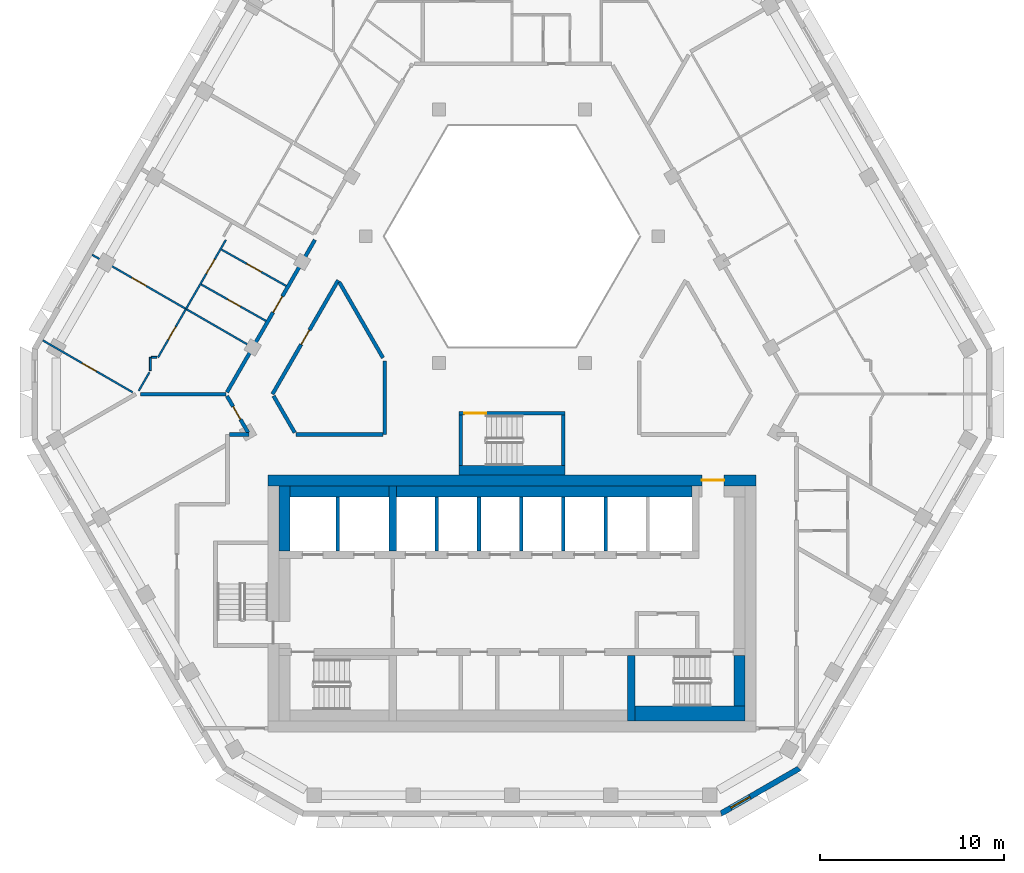
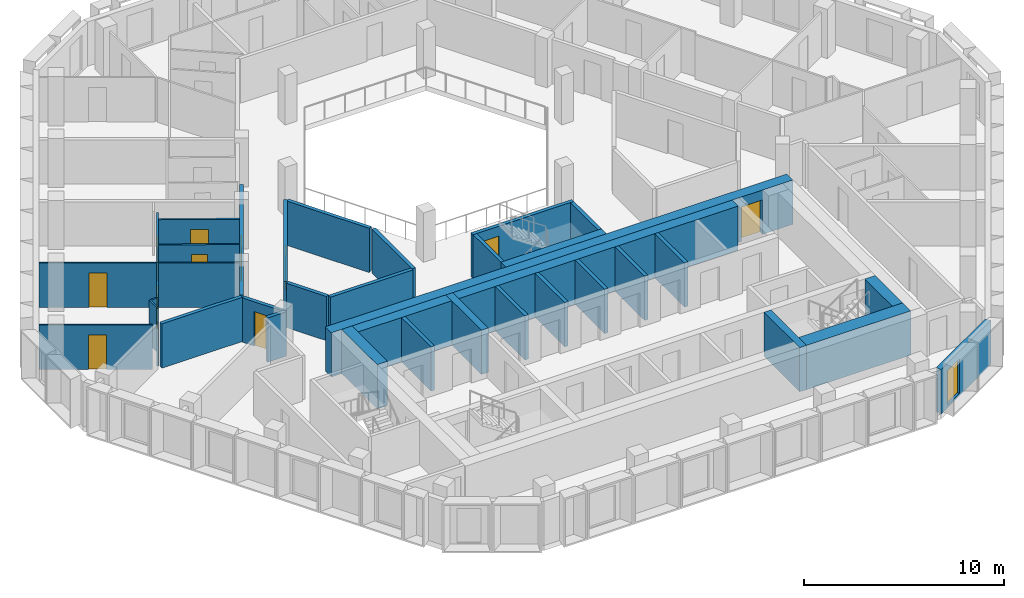
# One storey, part 4 of 15: 37 walls, 11 doors, 1 window, 12 openings.
"""IFC4 building model written with IfcOpenShell, lengths in metres."""

from ifc_helpers import new_model, si_unit, direction, frame, frame_2d, origin, place, context, subcontext, project, spatial, polyline, rectangle, outline, extrude, material, layer, layer_set, type_object, element, fill, save


model = new_model("IFC4")

# Units and contexts
model_context = context("Model", 3, precision=1e-05, world=origin(), true_north=direction((0.0, 1.0)))
body_context = subcontext(model_context, "Body", "Model", "MODEL_VIEW")
ifc_project = project(units=[si_unit("LENGTHUNIT", "METRE"), si_unit("AREAUNIT", "SQUARE_METRE"), si_unit("VOLUMEUNIT", "CUBIC_METRE"), si_unit("PLANEANGLEUNIT", "RADIAN"), si_unit("MASSUNIT", "GRAM", prefix="KILO")], contexts=[model_context])

# Site, building, storey
site_placement = place(None, origin())
site = spatial("IfcSite", under=ifc_project, at=site_placement, CompositionType="ELEMENT")
building_placement = place(site_placement, origin())
building = spatial("IfcBuilding", under=site, at=building_placement, Name="Beryl Residences", CompositionType="ELEMENT")
storey_placement = place(building_placement, frame((0.0, 0.0, 163.199951171875)))
storey = spatial("IfcBuildingStorey", under=building, at=storey_placement, Name="L49", CompositionType="ELEMENT", Elevation=163.199951171875)

# Wall, opening, window
ifc_material_1 = material(Name="Composite metal panel with mineral wool insulation")
ifc_layer_1 = layer(ifc_material_1, 0.300048828125)
ifc_layer_set_1 = layer_set([ifc_layer_1], Name="ES1 pale metal composite panel wall 300 mm")
wall_type_1 = type_object("IfcWallType", Name="ES1 pale metal composite panel wall 300 mm", PredefinedType="SOLIDWALL", material=ifc_layer_set_1)
wall_1_placement = place(storey_placement, frame((11.35595703125, -23.469970703125, 0.0), z_axis=(0.0, 0.0, 1.0), x_axis=(0.866022959057, 0.500004234368, 0.0)))
wall_1 = element("IfcWall", 1, at=wall_1_placement, inside=storey, type_object=wall_type_1, Name="ES1 external wall L49 S-SE", PredefinedType="SOLIDWALL", context=body_context, shape_type="SweptSolid", body=[
    extrude(outline(polyline([(0.0, -0.14990234375), (5.0, -0.14990234375), (4.919677734375, 0.14990234375), (0.080322265625, 0.14990234375), (0.0, -0.14990234375)])), origin(), (0.0, 0.0, 1.0), 2.699951171875),
])
opening_1_placement = place(wall_1_placement, frame((0.64990234375, 0.0, 0.14990234375)))
opening_1 = element("IfcOpeningElement", 2, at=opening_1_placement, cuts=wall_1, Name="Opening W2", PredefinedType="OPENING", context=body_context, shape_type="SweptSolid", body=[
    extrude(rectangle(XDim=1.199951171875, YDim=2.10009765625, at=frame_2d((0.60009765625, 1.050048828125))), frame((0.0, 0.159912109375, 0.0), z_axis=(0.0, -1.0, 0.0), x_axis=(1.0, 0.0, 0.0)), (0.0, 0.0, 1.0), 0.320068359375),
])
ifc_material_2 = material(Name="Aluminium and clear glass", Category="aluminium")
window_type = type_object("IfcWindowType", Name="W2 chamfer window 1200 x 2100 mm", PartitioningType="SINGLE_PANEL", PredefinedType="WINDOW", material=ifc_material_2)
window_placement = place(opening_1_placement, origin())
window = element("IfcWindow", 3, at=window_placement, inside=storey, type_object=window_type, Name="W2 window L49 S-SE 1", OverallHeight=2.10009765625, OverallWidth=1.199951171875, PartitioningType="SINGLE_PANEL", PredefinedType="WINDOW", context=body_context, shape_type="SweptSolid", body=[
    extrude(rectangle(XDim=1.199951171875, YDim=2.10009765625, at=frame_2d((0.60009765625, 1.050048828125))), frame((0.0, 0.030029296875, 0.0), z_axis=(0.0, -1.0, 0.0), x_axis=(1.0, 0.0, 0.0)), (0.0, 0.0, 1.0), 0.06005859375),
])
fill(opening_1, window)

# Wall, opening, door
ifc_material_3 = material(Name="Gypsum board partition on steel studs", Category="steel")
ifc_layer_2 = layer(ifc_material_3, 0.10009765625)
ifc_layer_set_2 = layer_set([ifc_layer_2], Name="PT1 partition 100 mm gypsum board on steel studs")
wall_type_2 = type_object("IfcWallType", Name="PT1 partition 100 mm gypsum board on steel studs", PredefinedType="PARTITIONING", material=ifc_layer_set_2)
wall_2_placement = place(storey_placement, frame((-16.931884765625, 5.3720703125, 0.0), z_axis=(0.0, 0.0, 1.0), x_axis=(0.871514356952, -0.490369988505, 0.0)))
wall_2 = element("IfcWall", 4, at=wall_2_placement, inside=storey, type_object=wall_type_2, Name="Wall PT1 L49 010", PredefinedType="PARTITIONING", context=body_context, shape_type="SweptSolid", body=[
    extrude(rectangle(XDim=4.05029296875, YDim=0.10009765625, at=frame_2d((2.025146484375, 0.0))), origin(), (0.0, 0.0, 1.0), 2.699951171875),
])
opening_2_placement = place(wall_2_placement, frame((1.64990234375, 0.0, 0.0)))
opening_2 = element("IfcOpeningElement", 5, at=opening_2_placement, cuts=wall_2, Name="Opening D1603", PredefinedType="OPENING", context=body_context, shape_type="SweptSolid", body=[
    extrude(rectangle(XDim=0.800048828125, YDim=2.10009765625, at=frame_2d((0.39990234375, 1.050048828125))), frame((0.0, 0.06005859375, 0.0), z_axis=(0.0, -1.0, 0.0), x_axis=(1.0, 0.0, 0.0)), (0.0, 0.0, 1.0), 0.1201171875),
])
ifc_material_4 = material(Name="Timber door leaf", Category="wood")
door_type_1 = type_object("IfcDoorType", Name="D3 bathroom door 800 x 2100 mm", OperationType="SINGLE_SWING_LEFT", PredefinedType="DOOR", material=ifc_material_4)
door_1_placement = place(opening_2_placement, origin())
door_1 = element("IfcDoor", 6, at=door_1_placement, inside=storey, type_object=door_type_1, Name="Door D1603 L49 001", OperationType="SINGLE_SWING_LEFT", OverallHeight=2.10009765625, OverallWidth=0.800048828125, PredefinedType="DOOR", context=body_context, shape_type="SweptSolid", body=[
    extrude(rectangle(XDim=0.800048828125, YDim=2.10009765625, at=frame_2d((0.39990234375, 1.050048828125))), frame((0.0, 0.02490234375, 0.0), z_axis=(0.0, -1.0, 0.0), x_axis=(1.0, 0.0, 0.0)), (0.0, 0.0, 1.0), 0.050048828125),
])
fill(opening_2, door_1)

wall_3_placement = place(storey_placement, frame((-15.83203125, 7.277099609375, 0.0), z_axis=(0.0, 0.0, 1.0), x_axis=(0.871528850672, -0.490344228523, 0.0)))
wall_3 = element("IfcWall", 7, at=wall_3_placement, inside=storey, type_object=wall_type_2, Name="Wall PT1 L49 011", PredefinedType="PARTITIONING", context=body_context, shape_type="SweptSolid", body=[
    extrude(rectangle(XDim=4.05029296875, YDim=0.10009765625, at=frame_2d((2.025146484375, 0.0))), origin(), (0.0, 0.0, 1.0), 2.699951171875),
])
opening_3_placement = place(wall_3_placement, frame((1.60009765625, 0.0, 0.0)))
opening_3 = element("IfcOpeningElement", 8, at=opening_3_placement, cuts=wall_3, Name="Opening D1602", PredefinedType="OPENING", context=body_context, shape_type="SweptSolid", body=[
    extrude(rectangle(XDim=0.89990234375, YDim=2.10009765625, at=frame_2d((0.449951171875, 1.050048828125))), frame((0.0, 0.06005859375, 0.0), z_axis=(0.0, -1.0, 0.0), x_axis=(1.0, 0.0, 0.0)), (0.0, 0.0, 1.0), 0.1201171875),
])
ifc_material_5 = material(Name="Timber door leaf", Category="wood")
door_type_2 = type_object("IfcDoorType", Name="D2 room door 900 x 2100 mm", OperationType="SINGLE_SWING_LEFT", PredefinedType="DOOR", material=ifc_material_5)
door_2_placement = place(opening_3_placement, origin())
door_2 = element("IfcDoor", 9, at=door_2_placement, inside=storey, type_object=door_type_2, Name="Door D1602 L49 001", OperationType="SINGLE_SWING_RIGHT", OverallHeight=2.10009765625, OverallWidth=0.89990234375, PredefinedType="DOOR", context=body_context, shape_type="SweptSolid", body=[
    extrude(rectangle(XDim=0.89990234375, YDim=2.10009765625, at=frame_2d((0.449951171875, 1.050048828125))), frame((0.0, 0.02490234375, 0.0), z_axis=(0.0, -1.0, 0.0), x_axis=(1.0, 0.0, 0.0)), (0.0, 0.0, 1.0), 0.050048828125),
])
fill(opening_3, door_2)

wall_4_placement = place(storey_placement, frame((-22.8701171875, 6.987060546875, 0.0), z_axis=(0.0, 0.0, 1.0), x_axis=(0.866022959057, -0.500004234368, 0.0)))
wall_4 = element("IfcWall", 10, at=wall_4_placement, inside=storey, type_object=wall_type_2, Name="Wall PT1 L49 012", PredefinedType="PARTITIONING", context=body_context, shape_type="SweptSolid", body=[
    extrude(rectangle(XDim=10.0, YDim=0.10009765625, at=frame_2d((5.0, 0.0))), origin(), (0.0, 0.0, 1.0), 2.699951171875),
])
opening_4_placement = place(wall_4_placement, frame((2.5, 0.0, 0.0)))
opening_4 = element("IfcOpeningElement", 11, at=opening_4_placement, cuts=wall_4, Name="Opening D1605", PredefinedType="OPENING", context=body_context, shape_type="SweptSolid", body=[
    extrude(rectangle(XDim=0.89990234375, YDim=2.10009765625, at=frame_2d((0.449951171875, 1.050048828125))), frame((0.0, 0.06005859375, 0.0), z_axis=(0.0, -1.0, 0.0), x_axis=(1.0, 0.0, 0.0)), (0.0, 0.0, 1.0), 0.1201171875),
])
door_3_placement = place(opening_4_placement, origin())
door_3 = element("IfcDoor", 12, at=door_3_placement, inside=storey, type_object=door_type_2, Name="Door D1605 L49 001", OperationType="SINGLE_SWING_LEFT", OverallHeight=2.10009765625, OverallWidth=0.89990234375, PredefinedType="DOOR", context=body_context, shape_type="SweptSolid", body=[
    extrude(rectangle(XDim=0.89990234375, YDim=2.10009765625, at=frame_2d((0.449951171875, 1.050048828125))), frame((0.0, 0.02490234375, 0.0), z_axis=(0.0, -1.0, 0.0), x_axis=(1.0, 0.0, 0.0)), (0.0, 0.0, 1.0), 0.050048828125),
])
fill(opening_4, door_3)

wall_5_placement = place(storey_placement, frame((-25.56201171875, 2.324951171875, 0.0), z_axis=(0.0, 0.0, 1.0), x_axis=(0.865998530728, -0.500046542611, 0.0)))
wall_5 = element("IfcWall", 13, at=wall_5_placement, inside=storey, type_object=wall_type_2, Name="Wall PT1 L49 013", PredefinedType="PARTITIONING", context=body_context, shape_type="SweptSolid", body=[
    extrude(rectangle(XDim=5.6513671875, YDim=0.10009765625, at=frame_2d((2.82568359375, 0.0))), origin(), (0.0, 0.0, 1.0), 2.699951171875),
])
opening_5_placement = place(wall_5_placement, frame((2.47607421875, 0.0, 0.0)))
opening_5 = element("IfcOpeningElement", 14, at=opening_5_placement, cuts=wall_5, Name="Opening D1606", PredefinedType="OPENING", context=body_context, shape_type="SweptSolid", body=[
    extrude(rectangle(XDim=0.89990234375, YDim=2.10009765625, at=frame_2d((0.449951171875, 1.050048828125))), frame((0.0, 0.06005859375, 0.0), z_axis=(0.0, -1.0, 0.0), x_axis=(1.0, 0.0, 0.0)), (0.0, 0.0, 1.0), 0.1201171875),
])
door_4_placement = place(opening_5_placement, origin())
door_4 = element("IfcDoor", 15, at=door_4_placement, inside=storey, type_object=door_type_2, Name="Door D1606 L49 001", OperationType="SINGLE_SWING_RIGHT", OverallHeight=2.10009765625, OverallWidth=0.89990234375, PredefinedType="DOOR", context=body_context, shape_type="SweptSolid", body=[
    extrude(rectangle(XDim=0.89990234375, YDim=2.10009765625, at=frame_2d((0.449951171875, 1.050048828125))), frame((0.0, 0.02490234375, 0.0), z_axis=(0.0, -1.0, 0.0), x_axis=(1.0, 0.0, 0.0)), (0.0, 0.0, 1.0), 0.050048828125),
])
fill(opening_5, door_4)

# Walls
wall_6_placement = place(storey_placement, frame((-19.64990234375, 1.39990234375, 0.0), z_axis=(0.0, 0.0, 1.0), x_axis=(1.0, 0.0, 0.0)))
element("IfcWall", 16, at=wall_6_placement, inside=storey, type_object=wall_type_2, Name="Wall PT1 L49 021", PredefinedType="PARTITIONING", context=body_context, shape_type="SweptSolid", body=[
    extrude(rectangle(XDim=0.308837890625, YDim=0.10009765625, at=frame_2d((0.154296875, 0.0))), origin(), (0.0, 0.0, 1.0), 2.699951171875),
])
wall_7_placement = place(storey_placement, frame((-20.337890625, -0.427001953125, 0.0), z_axis=(0.0, 0.0, 1.0), x_axis=(0.500069990121, 0.865984991198, 0.0)))
element("IfcWall", 17, at=wall_7_placement, inside=storey, type_object=wall_type_2, Name="Wall PT1 L49 028", PredefinedType="PARTITIONING", context=body_context, shape_type="SweptSolid", body=[
    extrude(rectangle(XDim=1.175537109375, YDim=0.10009765625, at=frame_2d((0.587890625, 0.0))), origin(), (0.0, 0.0, 1.0), 2.699951171875),
])

# Wall, opening, door
wall_8_placement = place(storey_placement, frame((-19.282958984375, 1.39990234375, 0.0), z_axis=(0.0, 0.0, 1.0), x_axis=(0.499847391584, 0.866113494368, 0.0)))
wall_8 = element("IfcWall", 18, at=wall_8_placement, inside=storey, type_object=wall_type_2, Name="Wall PT1 L49 029", PredefinedType="PARTITIONING", context=body_context, shape_type="SweptSolid", body=[
    extrude(rectangle(XDim=3.044921875, YDim=0.10009765625, at=frame_2d((1.5224609375, 0.0))), origin(), (0.0, 0.0, 1.0), 2.699951171875),
])
opening_6_placement = place(wall_8_placement, frame((1.123046875, 0.0, 0.0)))
opening_6 = element("IfcOpeningElement", 19, at=opening_6_placement, cuts=wall_8, Name="Opening D1607", PredefinedType="OPENING", context=body_context, shape_type="SweptSolid", body=[
    extrude(rectangle(XDim=0.800048828125, YDim=2.10009765625, at=frame_2d((0.39990234375, 1.050048828125))), frame((0.0, 0.06005859375, 0.0), z_axis=(0.0, -1.0, 0.0), x_axis=(1.0, 0.0, 0.0)), (0.0, 0.0, 1.0), 0.1201171875),
])
door_5_placement = place(opening_6_placement, origin())
door_5 = element("IfcDoor", 20, at=door_5_placement, inside=storey, type_object=door_type_1, Name="Door D1607 L49 001", OperationType="SINGLE_SWING_LEFT", OverallHeight=2.10009765625, OverallWidth=0.800048828125, PredefinedType="DOOR", context=body_context, shape_type="SweptSolid", body=[
    extrude(rectangle(XDim=0.800048828125, YDim=2.10009765625, at=frame_2d((0.39990234375, 1.050048828125))), frame((0.0, 0.02490234375, 0.0), z_axis=(0.0, -1.0, 0.0), x_axis=(1.0, 0.0, 0.0)), (0.0, 0.0, 1.0), 0.050048828125),
])
fill(opening_6, door_5)

# Wall
wall_9_placement = place(storey_placement, frame((-19.699951171875, 0.677978515625, 0.0), z_axis=(0.0, 0.0, 1.0), x_axis=(0.0, 1.0, 0.0)))
element("IfcWall", 21, at=wall_9_placement, inside=storey, type_object=wall_type_2, Name="Wall PT1 L49 039", PredefinedType="PARTITIONING", context=body_context, shape_type="SweptSolid", body=[
    extrude(rectangle(XDim=0.721923828125, YDim=0.10009765625, at=frame_2d((0.36083984375, 0.0))), origin(), (0.0, 0.0, 1.0), 2.699951171875),
])

# Wall, opening, door
wall_10_placement = place(storey_placement, frame((-17.760986328125, 4.037109375, 0.0), z_axis=(0.0, 0.0, 1.0), x_axis=(0.50009692756, 0.865969435399, 0.0)))
wall_10 = element("IfcWall", 22, at=wall_10_placement, inside=storey, type_object=wall_type_2, Name="Wall PT1 L49 046", PredefinedType="PARTITIONING", context=body_context, shape_type="SweptSolid", body=[
    extrude(rectangle(XDim=4.345458984375, YDim=0.10009765625, at=frame_2d((2.1728515625, 0.0))), origin(), (0.0, 0.0, 1.0), 2.699951171875),
])
opening_7_placement = place(wall_10_placement, frame((2.219970703125, 0.0, 0.0)))
opening_7 = element("IfcOpeningElement", 23, at=opening_7_placement, cuts=wall_10, Name="Opening D1604", PredefinedType="OPENING", context=body_context, shape_type="SweptSolid", body=[
    extrude(rectangle(XDim=0.89990234375, YDim=2.10009765625, at=frame_2d((0.449951171875, 1.050048828125))), frame((0.0, 0.06005859375, 0.0), z_axis=(0.0, -1.0, 0.0), x_axis=(1.0, 0.0, 0.0)), (0.0, 0.0, 1.0), 0.1201171875),
])
door_6_placement = place(opening_7_placement, origin())
door_6 = element("IfcDoor", 24, at=door_6_placement, inside=storey, type_object=door_type_2, Name="Door D1604 L49 001", OperationType="SINGLE_SWING_RIGHT", OverallHeight=2.10009765625, OverallWidth=0.89990234375, PredefinedType="DOOR", context=body_context, shape_type="SweptSolid", body=[
    extrude(rectangle(XDim=0.89990234375, YDim=2.10009765625, at=frame_2d((0.449951171875, 1.050048828125))), frame((0.0, 0.02490234375, 0.0), z_axis=(0.0, -1.0, 0.0), x_axis=(1.0, 0.0, 0.0)), (0.0, 0.0, 1.0), 0.050048828125),
])
fill(opening_7, door_6)

# Walls
ifc_material_6 = material(Name="Acoustic double stud gypsum board wall")
ifc_layer_3 = layer(ifc_material_6, 0.199951171875)
ifc_layer_set_3 = layer_set([ifc_layer_3], Name="PT3 party wall 200 mm acoustic double stud")
wall_type_3 = type_object("IfcWallType", Name="PT3 party wall 200 mm acoustic double stud", PredefinedType="PARTITIONING", material=ifc_layer_set_3)
wall_11_placement = place(storey_placement, frame((-20.238037109375, -0.60107421875, 0.0), z_axis=(0.0, 0.0, 1.0), x_axis=(1.0, 0.0, 0.0)))
element("IfcWall", 25, at=wall_11_placement, inside=storey, type_object=wall_type_3, Name="Wall PT3 L49 007", PredefinedType="PARTITIONING", context=body_context, shape_type="SweptSolid", body=[
    extrude(rectangle(XDim=4.650146484375, YDim=0.199951171875, at=frame_2d((2.3251953125, 0.0))), origin(), (0.0, 0.0, 1.0), 2.699951171875),
])
ifc_material_7 = material(Name="Double stud gypsum board wall")
ifc_layer_4 = layer(ifc_material_7, 0.199951171875)
ifc_layer_set_4 = layer_set([ifc_layer_4], Name="PT4 corridor wall 200 mm double stud")
wall_type_4 = type_object("IfcWallType", Name="PT4 corridor wall 200 mm double stud", PredefinedType="PARTITIONING", material=ifc_layer_set_4)
wall_12_placement = place(storey_placement, frame((-9.410888671875, 5.5, 0.0), z_axis=(0.0, 0.0, 1.0), x_axis=(0.500018099276, -0.86601495391, 0.0)))
element("IfcWall", 26, at=wall_12_placement, inside=storey, type_object=wall_type_4, Name="Wall PT4 L49 001", PredefinedType="PARTITIONING", context=body_context, shape_type="SweptSolid", body=[
    extrude(rectangle(XDim=4.765380859375, YDim=0.199951171875, at=frame_2d((2.3828125, 0.0))), origin(), (0.0, 0.0, 1.0), 2.699951171875),
])
wall_13_placement = place(storey_placement, frame((-12.989990234375, -0.700927734375, 0.0), z_axis=(0.0, 0.0, 1.0), x_axis=(0.499972710878, -0.866041158593, 0.0)))
element("IfcWall", 27, at=wall_13_placement, inside=storey, type_object=wall_type_4, Name="Wall PT4 L49 002", PredefinedType="PARTITIONING", context=body_context, shape_type="SweptSolid", body=[
    extrude(rectangle(XDim=2.308349609375, YDim=0.199951171875, at=frame_2d((1.154296875, 0.0))), origin(), (0.0, 0.0, 1.0), 2.699951171875),
])

# Wall, opening, door
wall_14_placement = place(storey_placement, frame((-15.530029296875, -0.700927734375, 0.0), z_axis=(0.0, 0.0, 1.0), x_axis=(0.499972710878, -0.866041158593, 0.0)))
wall_14 = element("IfcWall", 28, at=wall_14_placement, inside=storey, type_object=wall_type_4, Name="Wall PT4 L49 003", PredefinedType="PARTITIONING", context=body_context, shape_type="SweptSolid", body=[
    extrude(rectangle(XDim=2.308349609375, YDim=0.199951171875, at=frame_2d((1.154296875, 0.0))), origin(), (0.0, 0.0, 1.0), 2.699951171875),
])
opening_8_placement = place(wall_14_placement, frame((0.674072265625, 0.0, 0.0)))
opening_8 = element("IfcOpeningElement", 29, at=opening_8_placement, cuts=wall_14, Name="Opening D1608", PredefinedType="OPENING", context=body_context, shape_type="SweptSolid", body=[
    extrude(rectangle(XDim=0.800048828125, YDim=2.10009765625, at=frame_2d((0.39990234375, 1.050048828125))), frame((0.0, 0.10986328125, 0.0), z_axis=(0.0, -1.0, 0.0), x_axis=(1.0, 0.0, 0.0)), (0.0, 0.0, 1.0), 0.219970703125),
])
door_7_placement = place(opening_8_placement, origin())
door_7 = element("IfcDoor", 30, at=door_7_placement, inside=storey, type_object=door_type_1, Name="Door D1608 L49 001", OperationType="SINGLE_SWING_RIGHT", OverallHeight=2.10009765625, OverallWidth=0.800048828125, PredefinedType="DOOR", context=body_context, shape_type="SweptSolid", body=[
    extrude(rectangle(XDim=0.800048828125, YDim=2.10009765625, at=frame_2d((0.39990234375, 1.050048828125))), frame((0.0, 0.02490234375, 0.0), z_axis=(0.0, -1.0, 0.0), x_axis=(1.0, 0.0, 0.0)), (0.0, 0.0, 1.0), 0.050048828125),
])
fill(opening_8, door_7)

# Walls
wall_15_placement = place(storey_placement, frame((-15.39892578125, -2.800048828125, 0.0), z_axis=(0.0, 0.0, 1.0), x_axis=(1.0, 0.0, 0.0)))
element("IfcWall", 31, at=wall_15_placement, inside=storey, type_object=wall_type_4, Name="Wall PT4 L49 010", PredefinedType="PARTITIONING", context=body_context, shape_type="SweptSolid", body=[
    extrude(rectangle(XDim=1.080810546875, YDim=0.199951171875, at=frame_2d((0.54052734375, 0.0))), origin(), (0.0, 0.0, 1.0), 2.699951171875),
])
wall_16_placement = place(storey_placement, frame((-11.778076171875, -2.800048828125, 0.0), z_axis=(0.0, 0.0, 1.0), x_axis=(1.0, 0.0, 0.0)))
element("IfcWall", 32, at=wall_16_placement, inside=storey, type_object=wall_type_4, Name="Wall PT4 L49 011", PredefinedType="PARTITIONING", context=body_context, shape_type="SweptSolid", body=[
    extrude(rectangle(XDim=4.75, YDim=0.199951171875, at=frame_2d((2.375, 0.0))), origin(), (0.0, 0.0, 1.0), 2.699951171875),
])

# Wall, opening, door
wall_17_placement = place(storey_placement, frame((-13.048095703125, -0.60107421875, 0.0), z_axis=(0.0, 0.0, 1.0), x_axis=(0.499982180423, 0.866035691677, 0.0)))
wall_17 = element("IfcWall", 33, at=wall_17_placement, inside=storey, type_object=wall_type_4, Name="Wall PT4 L49 018", PredefinedType="PARTITIONING", context=body_context, shape_type="SweptSolid", body=[
    extrude(rectangle(XDim=7.160400390625, YDim=0.199951171875, at=frame_2d((3.580078125, 0.0))), origin(), (0.0, 0.0, 1.0), 2.699951171875),
])
opening_9_placement = place(wall_17_placement, frame((3.1298828125, 0.0, 0.0)))
opening_9 = element("IfcOpeningElement", 34, at=opening_9_placement, cuts=wall_17, Name="Opening D1642", PredefinedType="OPENING", context=body_context, shape_type="SweptSolid", body=[
    extrude(rectangle(XDim=0.89990234375, YDim=2.10009765625, at=frame_2d((0.449951171875, 1.050048828125))), frame((0.0, 0.10986328125, 0.0), z_axis=(0.0, -1.0, 0.0), x_axis=(1.0, 0.0, 0.0)), (0.0, 0.0, 1.0), 0.219970703125),
])
door_8_placement = place(opening_9_placement, origin())
door_8 = element("IfcDoor", 35, at=door_8_placement, inside=storey, type_object=door_type_2, Name="Door D1642 L49 001", OperationType="SINGLE_SWING_RIGHT", OverallHeight=2.10009765625, OverallWidth=0.89990234375, PredefinedType="DOOR", context=body_context, shape_type="SweptSolid", body=[
    extrude(rectangle(XDim=0.89990234375, YDim=2.10009765625, at=frame_2d((0.449951171875, 1.050048828125))), frame((0.0, 0.02490234375, 0.0), z_axis=(0.0, -1.0, 0.0), x_axis=(1.0, 0.0, 0.0)), (0.0, 0.0, 1.0), 0.050048828125),
])
fill(opening_9, door_8)

wall_18_placement = place(storey_placement, frame((-15.530029296875, -0.5009765625, 0.0), z_axis=(0.0, 0.0, 1.0), x_axis=(0.499952498232, 0.866052827206, 0.0)))
wall_18 = element("IfcWall", 36, at=wall_18_placement, inside=storey, type_object=wall_type_4, Name="Wall PT4 L49 019", PredefinedType="PARTITIONING", context=body_context, shape_type="SweptSolid", body=[
    extrude(rectangle(XDim=9.5849609375, YDim=0.199951171875, at=frame_2d((4.79248046875, 0.0))), origin(), (0.0, 0.0, 1.0), 2.699951171875),
])
opening_10_placement = place(wall_18_placement, frame((5.031005859375, 0.0, 0.0)))
opening_10 = element("IfcOpeningElement", 37, at=opening_10_placement, cuts=wall_18, Name="Opening D1601", PredefinedType="OPENING", context=body_context, shape_type="SweptSolid", body=[
    extrude(rectangle(XDim=1.0, YDim=2.10009765625, at=frame_2d((0.5, 1.050048828125))), frame((0.0, 0.10986328125, 0.0), z_axis=(0.0, -1.0, 0.0), x_axis=(1.0, 0.0, 0.0)), (0.0, 0.0, 1.0), 0.219970703125),
])
ifc_material_8 = material(Name="Timber door leaf", Category="wood")
door_type_3 = type_object("IfcDoorType", Name="D1 flat entrance door 1000 x 2100 mm", OperationType="SINGLE_SWING_LEFT", PredefinedType="DOOR", material=ifc_material_8)
door_9_placement = place(opening_10_placement, origin())
door_9 = element("IfcDoor", 38, at=door_9_placement, inside=storey, type_object=door_type_3, Name="Door D1601 L49 001", OperationType="SINGLE_SWING_LEFT", OverallHeight=2.10009765625, OverallWidth=1.0, PredefinedType="DOOR", context=body_context, shape_type="SweptSolid", body=[
    extrude(rectangle(XDim=1.0, YDim=2.10009765625, at=frame_2d((0.5, 1.050048828125))), frame((0.0, 0.02490234375, 0.0), z_axis=(0.0, -1.0, 0.0), x_axis=(1.0, 0.0, 0.0)), (0.0, 0.0, 1.0), 0.050048828125),
])
fill(opening_10, door_9)

# Wall
wall_19_placement = place(storey_placement, frame((-6.927978515625, -2.800048828125, 0.0), z_axis=(0.0, 0.0, 1.0), x_axis=(0.0, 1.0, 0.0)))
element("IfcWall", 39, at=wall_19_placement, inside=storey, type_object=wall_type_4, Name="Wall PT4 L49 023", PredefinedType="PARTITIONING", context=body_context, shape_type="SweptSolid", body=[
    extrude(rectangle(XDim=4.0, YDim=0.199951171875, at=frame_2d((2.0, 0.0))), origin(), (0.0, 0.0, 1.0), 2.699951171875),
])

# Wall, opening, door
ifc_material_9 = material(Name="Concrete C40/50", Category="concrete")
ifc_layer_5 = layer(ifc_material_9, 0.199951171875)
ifc_layer_set_5 = layer_set([ifc_layer_5], Name="PT5 stair enclosure wall 200 mm reinforced concrete C40/50")
wall_type_5 = type_object("IfcWallType", Name="PT5 stair enclosure wall 200 mm reinforced concrete C40/50", PredefinedType="SOLIDWALL", material=ifc_layer_set_5)
wall_20_placement = place(storey_placement, frame((-2.89990234375, -1.64990234375, 0.0), z_axis=(0.0, 0.0, 1.0), x_axis=(1.0, 0.0, 0.0)))
wall_20 = element("IfcWall", 40, at=wall_20_placement, inside=storey, type_object=wall_type_5, Name="Wall PT5 L49 001", PredefinedType="SOLIDWALL", context=body_context, shape_type="SweptSolid", body=[
    extrude(rectangle(XDim=5.7998046875, YDim=0.199951171875, at=frame_2d((2.89990234375, 0.0))), origin(), (0.0, 0.0, 1.0), 2.699951171875),
])
opening_11_placement = place(wall_20_placement, frame((0.300048828125, 0.0, 0.0)))
opening_11 = element("IfcOpeningElement", 41, at=opening_11_placement, cuts=wall_20, Name="Opening DS04", PredefinedType="OPENING", context=body_context, shape_type="SweptSolid", body=[
    extrude(rectangle(XDim=1.199951171875, YDim=2.10009765625, at=frame_2d((0.60009765625, 1.050048828125))), frame((0.0, 0.10986328125, 0.0), z_axis=(0.0, -1.0, 0.0), x_axis=(1.0, 0.0, 0.0)), (0.0, 0.0, 1.0), 0.219970703125),
])
ifc_material_10 = material(Name="Steel door leaf in steel frame", Category="steel")
door_type_4 = type_object("IfcDoorType", Name="D4 stair door 1200 x 2100 mm", OperationType="SINGLE_SWING_LEFT", PredefinedType="DOOR", material=ifc_material_10)
door_10_placement = place(opening_11_placement, origin())
door_10 = element("IfcDoor", 42, at=door_10_placement, inside=storey, type_object=door_type_4, Name="Door DS04 L49 001", OperationType="SINGLE_SWING_LEFT", OverallHeight=2.10009765625, OverallWidth=1.199951171875, PredefinedType="DOOR", context=body_context, shape_type="SweptSolid", body=[
    extrude(rectangle(XDim=1.199951171875, YDim=2.10009765625, at=frame_2d((0.60009765625, 1.050048828125))), frame((0.0, 0.02490234375, 0.0), z_axis=(0.0, -1.0, 0.0), x_axis=(1.0, 0.0, 0.0)), (0.0, 0.0, 1.0), 0.050048828125),
])
fill(opening_11, door_10)

# Walls
for number, where, z_axis, x_axis, name in (
    (43, (-2.800048828125, -4.5, 0.0), (0.0, 0.0, 1.0), (0.0, 1.0, 0.0), "Wall PT5 L49 002"),
    (44, (2.800048828125, -4.5, 0.0), (0.0, 0.0, 1.0), (0.0, 1.0, 0.0), "Wall PT5 L49 003"),
):
    element("IfcWall", number, at=place(storey_placement, frame(where, z_axis=z_axis, x_axis=x_axis)), inside=storey, type_object=wall_type_5, Name=name, PredefinedType="SOLIDWALL", context=body_context, shape_type="SweptSolid", body=[
        extrude(rectangle(XDim=2.75, YDim=0.199951171875, at=frame_2d((1.375, 0.0))), origin(), (0.0, 0.0, 1.0), 2.699951171875),
    ])
ifc_material_11 = material(Name="Concrete C40/50", Category="concrete")
ifc_layer_6 = layer(ifc_material_11, 0.5)
ifc_layer_set_6 = layer_set([ifc_layer_6], Name="PT5-500 stair enclosure wall 500 mm")
wall_type_6 = type_object("IfcWallType", Name="PT5-500 stair enclosure wall 500 mm", PredefinedType="SOLIDWALL", material=ifc_layer_set_6)
wall_21_placement = place(storey_placement, frame((-2.89990234375, -4.75, 0.0), z_axis=(0.0, 0.0, 1.0), x_axis=(1.0, 0.0, 0.0)))
element("IfcWall", 45, at=wall_21_placement, inside=storey, type_object=wall_type_6, Name="Wall PT5-500 L49 001", PredefinedType="SOLIDWALL", context=body_context, shape_type="SweptSolid", body=[
    extrude(rectangle(XDim=5.7998046875, YDim=0.5, at=frame_2d((2.89990234375, 0.0))), origin(), (0.0, 0.0, 1.0), 2.699951171875),
])
ifc_material_12 = material(Name="Concrete C40/50", Category="concrete")
ifc_layer_7 = layer(ifc_material_12, 0.60009765625)
ifc_layer_set_7 = layer_set([ifc_layer_7], Name="PT5-600 stair enclosure wall 600 mm")
wall_type_7 = type_object("IfcWallType", Name="PT5-600 stair enclosure wall 600 mm", PredefinedType="SOLIDWALL", material=ifc_layer_set_7)
wall_22_placement = place(storey_placement, frame((12.39990234375, -17.60009765625, 0.0), z_axis=(0.0, 0.0, 1.0), x_axis=(0.0, 1.0, 0.0)))
element("IfcWall", 46, at=wall_22_placement, inside=storey, type_object=wall_type_7, Name="Stair wall 30", PredefinedType="SOLIDWALL", context=body_context, shape_type="SweptSolid", body=[
    extrude(rectangle(XDim=2.75, YDim=0.60009765625, at=frame_2d((1.375, 0.0))), origin(), (0.0, 0.0, 1.0), 2.699951171875),
])
ifc_material_13 = material(Name="Concrete C40/50", Category="concrete")
ifc_layer_8 = layer(ifc_material_13, 0.800048828125)
ifc_layer_set_8 = layer_set([ifc_layer_8], Name="PT5-800 stair enclosure wall 800 mm")
wall_type_8 = type_object("IfcWallType", Name="PT5-800 stair enclosure wall 800 mm", PredefinedType="SOLIDWALL", material=ifc_layer_set_8)
wall_23_placement = place(storey_placement, frame((6.699951171875, -18.0, 0.0), z_axis=(0.0, 0.0, 1.0), x_axis=(1.0, 0.0, 0.0)))
element("IfcWall", 47, at=wall_23_placement, inside=storey, type_object=wall_type_8, Name="Stair wall 23", PredefinedType="SOLIDWALL", context=body_context, shape_type="SweptSolid", body=[
    extrude(rectangle(XDim=6.0, YDim=0.800048828125, at=frame_2d((3.0, 0.0))), origin(), (0.0, 0.0, 1.0), 2.699951171875),
])
ifc_material_14 = material(Name="Concrete C40/50", Category="concrete")
ifc_layer_9 = layer(ifc_material_14, 0.199951171875)
ifc_layer_set_9 = layer_set([ifc_layer_9], Name="PT6 lift shaft wall 200 mm reinforced concrete C40/50")
wall_type_9 = type_object("IfcWallType", Name="PT6 lift shaft wall 200 mm reinforced concrete C40/50", PredefinedType="SOLIDWALL", material=ifc_layer_set_9)
for number, where, z_axis, x_axis, name in (
    (48, (-9.5, -9.14990234375, 0.0), (0.0, 0.0, 1.0), (0.0, 1.0, 0.0), "Lift shaft wall 11"),
    (49, (-4.10009765625, -9.14990234375, 0.0), (0.0, 0.0, 1.0), (0.0, 1.0, 0.0), "Lift shaft wall 15"),
    (50, (-1.800048828125, -9.14990234375, 0.0), (0.0, 0.0, 1.0), (0.0, 1.0, 0.0), "Lift shaft wall 17"),
    (51, (0.5, -9.14990234375, 0.0), (0.0, 0.0, 1.0), (0.0, 1.0, 0.0), "Lift shaft wall 19"),
    (52, (2.800048828125, -9.14990234375, 0.0), (0.0, 0.0, 1.0), (0.0, 1.0, 0.0), "Lift shaft wall 21"),
    (53, (5.10009765625, -9.14990234375, 0.0), (0.0, 0.0, 1.0), (0.0, 1.0, 0.0), "Lift shaft wall 22"),
):
    element("IfcWall", number, at=place(storey_placement, frame(where, z_axis=z_axis, x_axis=x_axis)), inside=storey, type_object=wall_type_9, Name=name, PredefinedType="SOLIDWALL", context=body_context, shape_type="SweptSolid", body=[
        extrude(rectangle(XDim=2.949951171875, YDim=0.199951171875, at=frame_2d((1.47509765625, 0.0))), origin(), (0.0, 0.0, 1.0), 2.699951171875),
    ])
ifc_material_15 = material(Name="Concrete C40/50", Category="concrete")
ifc_layer_10 = layer(ifc_material_15, 0.60009765625)
ifc_layer_set_10 = layer_set([ifc_layer_10], Name="PT6-600 lift shaft wall 600 mm")
wall_type_10 = type_object("IfcWallType", Name="PT6-600 lift shaft wall 600 mm", PredefinedType="SOLIDWALL", material=ifc_layer_set_10)
wall_24_placement = place(storey_placement, frame((-12.39990234375, -9.14990234375, 0.0), z_axis=(0.0, 0.0, 1.0), x_axis=(0.0, 1.0, 0.0)))
element("IfcWall", 54, at=wall_24_placement, inside=storey, type_object=wall_type_10, Name="Lift shaft wall 07", PredefinedType="SOLIDWALL", context=body_context, shape_type="SweptSolid", body=[
    extrude(rectangle(XDim=3.5498046875, YDim=0.60009765625, at=frame_2d((1.77490234375, 0.0))), origin(), (0.0, 0.0, 1.0), 2.699951171875),
])
wall_25_placement = place(storey_placement, frame((-12.10009765625, -5.89990234375, 0.0), z_axis=(0.0, 0.0, 1.0), x_axis=(1.0, 0.0, 0.0)))
element("IfcWall", 55, at=wall_25_placement, inside=storey, type_object=wall_type_10, Name="Lift shaft wall 09", PredefinedType="SOLIDWALL", context=body_context, shape_type="SweptSolid", body=[
    extrude(rectangle(XDim=5.400146484375, YDim=0.60009765625, at=frame_2d((2.7001953125, 0.0))), origin(), (0.0, 0.0, 1.0), 2.699951171875),
])
wall_26_placement = place(storey_placement, frame((-6.300048828125, -5.89990234375, 0.0), z_axis=(0.0, 0.0, 1.0), x_axis=(1.0, 0.0, 0.0)))
element("IfcWall", 56, at=wall_26_placement, inside=storey, type_object=wall_type_10, Name="Lift shaft wall 14", PredefinedType="SOLIDWALL", context=body_context, shape_type="SweptSolid", body=[
    extrude(rectangle(XDim=16.10009765625, YDim=0.60009765625, at=frame_2d((8.050048828125, 0.0))), origin(), (0.0, 0.0, 1.0), 2.699951171875),
])

# Wall, opening, door
ifc_material_16 = material(Name="Concrete C50/60", Category="concrete")
ifc_layer_11 = layer(ifc_material_16, 0.60009765625)
ifc_layer_set_11 = layer_set([ifc_layer_11], Name="SW4 core outer wall 600 mm C50/60")
wall_type_11 = type_object("IfcWallType", Name="SW4 core outer wall 600 mm C50/60", PredefinedType="SHEAR", material=ifc_layer_set_11)
wall_27_placement = place(storey_placement, frame((-13.300048828125, -5.300048828125, 0.0), z_axis=(0.0, 0.0, 1.0), x_axis=(1.0, 0.0, 0.0)))
wall_27 = element("IfcWall", 57, at=wall_27_placement, inside=storey, type_object=wall_type_11, Name="Core wall N L49", PredefinedType="SHEAR", context=body_context, shape_type="SweptSolid", body=[
    extrude(rectangle(XDim=26.60009765625, YDim=0.60009765625, at=frame_2d((13.300048828125, 0.0))), origin(), (0.0, 0.0, 1.0), 2.699951171875),
])
opening_12_placement = place(wall_27_placement, frame((23.64990234375, 0.0, 0.0)))
opening_12 = element("IfcOpeningElement", 58, at=opening_12_placement, cuts=wall_27, Name="Opening FD-NORTH", PredefinedType="OPENING", context=body_context, shape_type="SweptSolid", body=[
    extrude(rectangle(XDim=1.199951171875, YDim=2.10009765625, at=frame_2d((0.60009765625, 1.050048828125))), frame((0.0, 0.31005859375, 0.0), z_axis=(0.0, -1.0, 0.0), x_axis=(1.0, 0.0, 0.0)), (0.0, 0.0, 1.0), 0.6201171875),
])
ifc_material_17 = material(Name="Steel door leaf in steel frame", Category="steel")
door_type_5 = type_object("IfcDoorType", Name="D22 lobby door 1200 x 2100 mm", OperationType="DOUBLE_DOOR_SINGLE_SWING", PredefinedType="DOOR", material=ifc_material_17)
door_11_placement = place(opening_12_placement, origin())
door_11 = element("IfcDoor", 59, at=door_11_placement, inside=storey, type_object=door_type_5, Name="Door FD-NORTH L49 001", OperationType="DOUBLE_DOOR_SINGLE_SWING", OverallHeight=2.10009765625, OverallWidth=1.199951171875, PredefinedType="DOOR", context=body_context, shape_type="SweptSolid", body=[
    extrude(rectangle(XDim=1.199951171875, YDim=2.10009765625, at=frame_2d((0.60009765625, 1.050048828125))), frame((0.0, 0.02490234375, 0.0), z_axis=(0.0, -1.0, 0.0), x_axis=(1.0, 0.0, 0.0)), (0.0, 0.0, 1.0), 0.050048828125),
])
fill(opening_12, door_11)

# Walls
ifc_material_18 = material(Name="Concrete C50/60", Category="concrete")
ifc_layer_12 = layer(ifc_material_18, 0.39990234375)
ifc_layer_set_12 = layer_set([ifc_layer_12], Name="SW9 core internal wall 400 mm C50/60")
wall_type_12 = type_object("IfcWallType", Name="SW9 core internal wall 400 mm C50/60", PredefinedType="SHEAR", material=ifc_layer_set_12)
for number, where, z_axis, x_axis, name in (
    (60, (6.5, -18.39990234375, 0.0), (0.0, 0.0, 1.0), (0.0, 1.0, 0.0), "Core wall XS2 L49"),
    (61, (-6.5, -9.14990234375, 0.0), (0.0, 0.0, 1.0), (0.0, 1.0, 0.0), "Core wall XN1 L49"),
):
    element("IfcWall", number, at=place(storey_placement, frame(where, z_axis=z_axis, x_axis=x_axis)), inside=storey, type_object=wall_type_12, Name=name, PredefinedType="SHEAR", context=body_context, shape_type="SweptSolid", body=[
        extrude(rectangle(XDim=3.5498046875, YDim=0.39990234375, at=frame_2d((1.77490234375, 0.0))), origin(), (0.0, 0.0, 1.0), 2.699951171875),
    ])

save(model, "model.ifc")
